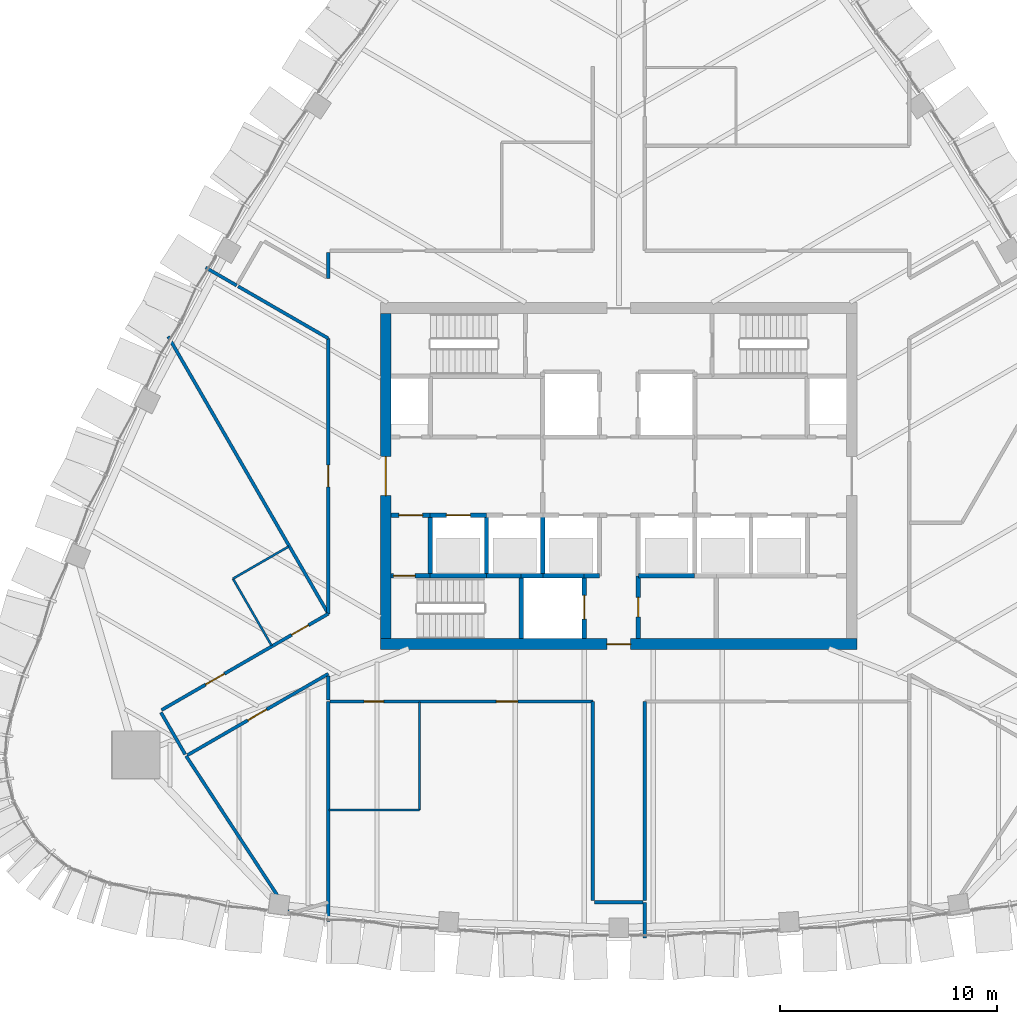
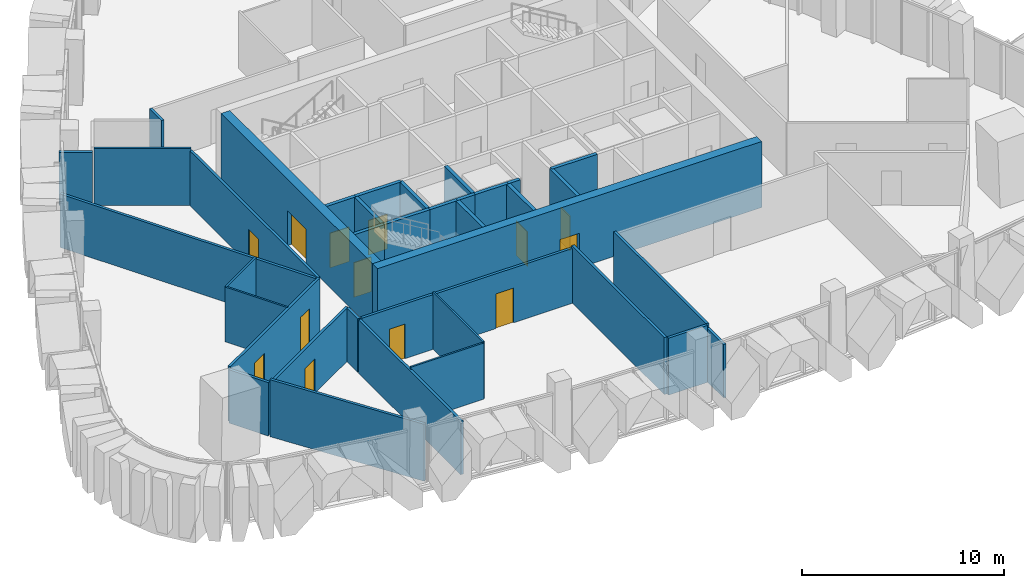
# One storey, part 12 of 19: 37 walls, 13 doors, 13 openings.
"""IFC4 building model written with IfcOpenShell, lengths in metres."""

from ifc_helpers import new_model, si_unit, direction, frame, frame_2d, origin, place, context, subcontext, project, spatial, rectangle, extrude, material, layer, layer_set, type_object, element, fill, save


model = new_model("IFC4")

# Units and contexts
model_context = context("Model", 3, precision=1e-05, world=origin(), true_north=direction((0.0, 1.0)))
body_context = subcontext(model_context, "Body", "Model", "MODEL_VIEW")
ifc_project = project(units=[si_unit("LENGTHUNIT", "METRE"), si_unit("AREAUNIT", "SQUARE_METRE"), si_unit("VOLUMEUNIT", "CUBIC_METRE"), si_unit("PLANEANGLEUNIT", "RADIAN"), si_unit("MASSUNIT", "GRAM", prefix="KILO")], contexts=[model_context])

# Site, building, storey
site_placement = place(None, origin())
site = spatial("IfcSite", under=ifc_project, at=site_placement, CompositionType="ELEMENT")
building_placement = place(site_placement, origin())
building = spatial("IfcBuilding", under=site, at=building_placement, Name="Sierra Prisma Convention Tower", CompositionType="ELEMENT")
storey_placement = place(building_placement, frame((0.0, 0.0, 231.0)))
storey = spatial("IfcBuildingStorey", under=building, at=storey_placement, Name="L51", CompositionType="ELEMENT", Elevation=231.0)

# Walls
ifc_material_1 = material(Name="Gypsum board partition", Category="gypsum")
ifc_layer_1 = layer(ifc_material_1, 0.10009765625)
ifc_layer_set_1 = layer_set([ifc_layer_1], Name="Bathroom partition 100")
wall_type_1 = type_object("IfcWallType", Name="Bathroom partition 100", PredefinedType="PARTITIONING", material=ifc_layer_set_1)
wall_1_placement = place(storey_placement, frame((-16.01318359375, -7.824951171875, 0.0), z_axis=(0.0, 0.0, 1.0), x_axis=(-0.499971082179, 0.866042098853, 0.0)))
element("IfcWall", 1, at=wall_1_placement, inside=storey, type_object=wall_type_1, Name="Partition L51 bath 1", PredefinedType="PARTITIONING", context=body_context, shape_type="SweptSolid", body=[
    extrude(rectangle(XDim=3.570068359375, YDim=0.10009765625, at=frame_2d((1.78515625, 0.0))), origin(), (0.0, 0.0, 1.0), 3.31689453125),
])
wall_2_placement = place(storey_placement, frame((-17.798095703125, -4.733154296875, 0.0), z_axis=(0.0, 0.0, 1.0), x_axis=(0.866039111053, 0.499976257563, 0.0)))
element("IfcWall", 2, at=wall_2_placement, inside=storey, type_object=wall_type_1, Name="Partition L51 bath 2", PredefinedType="PARTITIONING", context=body_context, shape_type="SweptSolid", body=[
    extrude(rectangle(XDim=2.969970703125, YDim=0.10009765625, at=frame_2d((1.48486328125, 0.0))), origin(), (0.0, 0.0, 1.0), 3.31689453125),
])
wall_3_placement = place(storey_placement, frame((-9.199951171875, -10.429931640625, 0.0), z_axis=(0.0, 0.0, 1.0), x_axis=(0.0, -1.0, 0.0)))
element("IfcWall", 3, at=wall_3_placement, inside=storey, type_object=wall_type_1, Name="Partition L51 bath 3", PredefinedType="PARTITIONING", context=body_context, shape_type="SweptSolid", body=[
    extrude(rectangle(XDim=4.969970703125, YDim=0.10009765625, at=frame_2d((2.48486328125, 0.0))), origin(), (0.0, 0.0, 1.0), 3.449951171875),
])
wall_4_placement = place(storey_placement, frame((-9.199951171875, -15.39990234375, 0.0), z_axis=(0.0, 0.0, 1.0), x_axis=(-1.0, 0.0, 0.0)))
element("IfcWall", 4, at=wall_4_placement, inside=storey, type_object=wall_type_1, Name="Partition L51 bath 4", PredefinedType="PARTITIONING", context=body_context, shape_type="SweptSolid", body=[
    extrude(rectangle(XDim=4.170166015625, YDim=0.10009765625, at=frame_2d((2.0849609375, 0.0))), origin(), (0.0, 0.0, 1.0), 3.39306640625),
])

# Wall, opening, door
ifc_material_2 = material(Name="Concrete C30/37", Category="concrete")
ifc_layer_2 = layer(ifc_material_2, 0.199951171875)
ifc_layer_set_2 = layer_set([ifc_layer_2], Name="Core wall RC 200 C30/37")
wall_type_2 = type_object("IfcWallType", Name="Core wall RC 200 C30/37", PredefinedType="SOLIDWALL", material=ifc_layer_set_2)
wall_5_placement = place(storey_placement, frame((-10.5, -4.60009765625, 0.0), z_axis=(0.0, 0.0, 1.0), x_axis=(1.0, 0.0, 0.0)))
wall_5 = element("IfcWall", 5, at=wall_5_placement, inside=storey, type_object=wall_type_2, Name="Core wall L51 1", PredefinedType="SOLIDWALL", context=body_context, shape_type="SweptSolid", body=[
    extrude(rectangle(XDim=1.800048828125, YDim=0.199951171875, at=frame_2d((0.89990234375, 0.0))), origin(), (0.0, 0.0, 1.0), 3.85009765625),
])
opening_1_placement = place(wall_5_placement, frame((0.10009765625, 0.0, 0.0)))
opening_1 = element("IfcOpeningElement", 6, at=opening_1_placement, cuts=wall_5, Name="Opening L51-D017", PredefinedType="OPENING", context=body_context, shape_type="SweptSolid", body=[
    extrude(rectangle(XDim=1.0, YDim=2.10009765625, at=frame_2d((0.5, 1.050048828125))), frame((0.0, 0.10009765625, 0.0), z_axis=(0.0, -1.0, 0.0), x_axis=(1.0, 0.0, 0.0)), (0.0, 0.0, 1.0), 0.199951171875),
])
ifc_material_3 = material(Name="Steel fire door leaf", Category="steel")
door_type_1 = type_object("IfcDoorType", Name="Door 1000x2100 FD90S", OperationType="SINGLE_SWING_LEFT", PredefinedType="DOOR", material=ifc_material_3)
door_1_placement = place(opening_1_placement, origin())
door_1 = element("IfcDoor", 7, at=door_1_placement, inside=storey, type_object=door_type_1, Name="Door L51 33", OperationType="SINGLE_SWING_LEFT", OverallHeight=2.10009765625, OverallWidth=1.0, PredefinedType="DOOR", context=body_context, shape_type="SweptSolid", body=[
    extrude(rectangle(XDim=1.0, YDim=2.10009765625, at=frame_2d((0.5, 1.050048828125))), frame((0.0, 0.02490234375, 0.0), z_axis=(0.0, -1.0, 0.0), x_axis=(1.0, 0.0, 0.0)), (0.0, 0.0, 1.0), 0.050048828125),
])
fill(opening_1, door_1)

wall_6_placement = place(storey_placement, frame((-10.5, -1.800048828125, 0.0), z_axis=(0.0, 0.0, 1.0), x_axis=(1.0, 0.0, 0.0)))
wall_6 = element("IfcWall", 8, at=wall_6_placement, inside=storey, type_object=wall_type_2, Name="Core wall L51 2", PredefinedType="SOLIDWALL", context=body_context, shape_type="SweptSolid", body=[
    extrude(rectangle(XDim=1.800048828125, YDim=0.199951171875, at=frame_2d((0.89990234375, 0.0))), origin(), (0.0, 0.0, 1.0), 3.85009765625),
])
opening_2_placement = place(wall_6_placement, frame((0.35009765625, 0.0, 0.0)))
opening_2 = element("IfcOpeningElement", 9, at=opening_2_placement, cuts=wall_6, Name="Opening L51-D012", PredefinedType="OPENING", context=body_context, shape_type="SweptSolid", body=[
    extrude(rectangle(XDim=1.10009765625, YDim=2.10009765625, at=frame_2d((0.550048828125, 1.050048828125))), frame((0.0, 0.10009765625, 0.0), z_axis=(0.0, -1.0, 0.0), x_axis=(1.0, 0.0, 0.0)), (0.0, 0.0, 1.0), 0.199951171875),
])
ifc_material_4 = material(Name="Steel fire door leaf", Category="steel")
door_type_2 = type_object("IfcDoorType", Name="Door 1100x2100 FD90S", OperationType="SINGLE_SWING_LEFT", PredefinedType="DOOR", material=ifc_material_4)
door_2_placement = place(opening_2_placement, origin())
door_2 = element("IfcDoor", 10, at=door_2_placement, inside=storey, type_object=door_type_2, Name="Door L51 28", OperationType="SINGLE_SWING_RIGHT", OverallHeight=2.10009765625, OverallWidth=1.10009765625, PredefinedType="DOOR", context=body_context, shape_type="SweptSolid", body=[
    extrude(rectangle(XDim=1.10009765625, YDim=2.10009765625, at=frame_2d((0.550048828125, 1.050048828125))), frame((0.0, 0.02490234375, 0.0), z_axis=(0.0, -1.0, 0.0), x_axis=(1.0, 0.0, 0.0)), (0.0, 0.0, 1.0), 0.050048828125),
])
fill(opening_2, door_2)

# Walls
wall_7_placement = place(storey_placement, frame((-8.699951171875, -4.60009765625, 0.0), z_axis=(0.0, 0.0, 1.0), x_axis=(1.0, 0.0, 0.0)))
element("IfcWall", 11, at=wall_7_placement, inside=storey, type_object=wall_type_2, Name="Core wall L51 5", PredefinedType="SOLIDWALL", context=body_context, shape_type="SweptSolid", body=[
    extrude(rectangle(XDim=2.599853515625, YDim=0.199951171875, at=frame_2d((1.2998046875, 0.0))), origin(), (0.0, 0.0, 1.0), 3.85009765625),
])
wall_8_placement = place(storey_placement, frame((-8.699951171875, -4.60009765625, 0.0), z_axis=(0.0, 0.0, 1.0), x_axis=(0.0, 1.0, 0.0)))
element("IfcWall", 12, at=wall_8_placement, inside=storey, type_object=wall_type_2, Name="Core wall L51 6", PredefinedType="SOLIDWALL", context=body_context, shape_type="SweptSolid", body=[
    extrude(rectangle(XDim=2.800048828125, YDim=0.199951171875, at=frame_2d((1.39990234375, 0.0))), origin(), (0.0, 0.0, 1.0), 3.85009765625),
])

# Wall, opening, door
wall_9_placement = place(storey_placement, frame((-8.699951171875, -1.800048828125, 0.0), z_axis=(0.0, 0.0, 1.0), x_axis=(1.0, 0.0, 0.0)))
wall_9 = element("IfcWall", 13, at=wall_9_placement, inside=storey, type_object=wall_type_2, Name="Core wall L51 7", PredefinedType="SOLIDWALL", context=body_context, shape_type="SweptSolid", body=[
    extrude(rectangle(XDim=2.599853515625, YDim=0.199951171875, at=frame_2d((1.2998046875, 0.0))), origin(), (0.0, 0.0, 1.0), 3.85009765625),
])
opening_3_placement = place(wall_9_placement, frame((0.75, 0.0, 0.0)))
opening_3 = element("IfcOpeningElement", 14, at=opening_3_placement, cuts=wall_9, Name="Opening L51-D001", PredefinedType="OPENING", context=body_context, shape_type="SweptSolid", body=[
    extrude(rectangle(XDim=1.10009765625, YDim=2.10009765625, at=frame_2d((0.550048828125, 1.050048828125))), frame((0.0, 0.10009765625, 0.0), z_axis=(0.0, -1.0, 0.0), x_axis=(1.0, 0.0, 0.0)), (0.0, 0.0, 1.0), 0.199951171875),
])
ifc_material_5 = material(Name="Steel fire door leaf", Category="steel")
door_type_3 = type_object("IfcDoorType", Name="Door 1100x2100 EI 90 sliding lift landing", OperationType="SLIDING_TO_LEFT", PredefinedType="DOOR", material=ifc_material_5)
door_3_placement = place(opening_3_placement, origin())
door_3 = element("IfcDoor", 15, at=door_3_placement, inside=storey, type_object=door_type_3, Name="Door L51 17", OperationType="SLIDING_TO_LEFT", OverallHeight=2.10009765625, OverallWidth=1.10009765625, PredefinedType="DOOR", context=body_context, shape_type="SweptSolid", body=[
    extrude(rectangle(XDim=1.10009765625, YDim=2.10009765625, at=frame_2d((0.550048828125, 1.050048828125))), frame((0.0, 0.02490234375, 0.0), z_axis=(0.0, -1.0, 0.0), x_axis=(1.0, 0.0, 0.0)), (0.0, 0.0, 1.0), 0.050048828125),
])
fill(opening_3, door_3)

# Walls
wall_10_placement = place(storey_placement, frame((-6.10009765625, -4.60009765625, 0.0), z_axis=(0.0, 0.0, 1.0), x_axis=(1.0, 0.0, 0.0)))
element("IfcWall", 16, at=wall_10_placement, inside=storey, type_object=wall_type_2, Name="Core wall L51 11", PredefinedType="SOLIDWALL", context=body_context, shape_type="SweptSolid", body=[
    extrude(rectangle(XDim=1.60009765625, YDim=0.199951171875, at=frame_2d((0.800048828125, 0.0))), origin(), (0.0, 0.0, 1.0), 3.85009765625),
])
wall_11_placement = place(storey_placement, frame((-6.10009765625, -4.60009765625, 0.0), z_axis=(0.0, 0.0, 1.0), x_axis=(0.0, 1.0, 0.0)))
element("IfcWall", 17, at=wall_11_placement, inside=storey, type_object=wall_type_2, Name="Core wall L51 12", PredefinedType="SOLIDWALL", context=body_context, shape_type="SweptSolid", body=[
    extrude(rectangle(XDim=2.800048828125, YDim=0.199951171875, at=frame_2d((1.39990234375, 0.0))), origin(), (0.0, 0.0, 1.0), 3.85009765625),
])
wall_12_placement = place(storey_placement, frame((-4.5, -4.60009765625, 0.0), z_axis=(0.0, 0.0, 1.0), x_axis=(0.0, -1.0, 0.0)))
element("IfcWall", 18, at=wall_12_placement, inside=storey, type_object=wall_type_2, Name="Core wall L51 14", PredefinedType="SOLIDWALL", context=body_context, shape_type="SweptSolid", body=[
    extrude(rectangle(XDim=2.89990234375, YDim=0.199951171875, at=frame_2d((1.449951171875, 0.0))), origin(), (0.0, 0.0, 1.0), 3.85009765625),
])
wall_13_placement = place(storey_placement, frame((-4.5, -4.60009765625, 0.0), z_axis=(0.0, 0.0, 1.0), x_axis=(1.0, 0.0, 0.0)))
element("IfcWall", 19, at=wall_13_placement, inside=storey, type_object=wall_type_2, Name="Core wall L51 15", PredefinedType="SOLIDWALL", context=body_context, shape_type="SweptSolid", body=[
    extrude(rectangle(XDim=1.0, YDim=0.199951171875, at=frame_2d((0.5, 0.0))), origin(), (0.0, 0.0, 1.0), 3.85009765625),
])
wall_14_placement = place(storey_placement, frame((-3.5, -4.60009765625, 0.0), z_axis=(0.0, 0.0, 1.0), x_axis=(1.0, 0.0, 0.0)))
element("IfcWall", 20, at=wall_14_placement, inside=storey, type_object=wall_type_2, Name="Core wall L51 18", PredefinedType="SOLIDWALL", context=body_context, shape_type="SweptSolid", body=[
    extrude(rectangle(XDim=1.89990234375, YDim=0.199951171875, at=frame_2d((0.949951171875, 0.0))), origin(), (0.0, 0.0, 1.0), 3.85009765625),
])
wall_15_placement = place(storey_placement, frame((-3.5, -4.60009765625, 0.0), z_axis=(0.0, 0.0, 1.0), x_axis=(0.0, 1.0, 0.0)))
element("IfcWall", 21, at=wall_15_placement, inside=storey, type_object=wall_type_2, Name="Core wall L51 19", PredefinedType="SOLIDWALL", context=body_context, shape_type="SweptSolid", body=[
    extrude(rectangle(XDim=2.800048828125, YDim=0.199951171875, at=frame_2d((1.39990234375, 0.0))), origin(), (0.0, 0.0, 1.0), 3.85009765625),
])

# Wall, opening, door
wall_16_placement = place(storey_placement, frame((-1.60009765625, -7.5, 0.0), z_axis=(0.0, 0.0, 1.0), x_axis=(0.0, 1.0, 0.0)))
wall_16 = element("IfcWall", 22, at=wall_16_placement, inside=storey, type_object=wall_type_2, Name="Core wall L51 27", PredefinedType="SOLIDWALL", context=body_context, shape_type="SweptSolid", body=[
    extrude(rectangle(XDim=2.89990234375, YDim=0.199951171875, at=frame_2d((1.449951171875, 0.0))), origin(), (0.0, 0.0, 1.0), 3.85009765625),
])
opening_4_placement = place(wall_16_placement, frame((0.89990234375, 0.0, 0.0)))
opening_4 = element("IfcOpeningElement", 23, at=opening_4_placement, cuts=wall_16, Name="Opening L51-D009", PredefinedType="OPENING", context=body_context, shape_type="SweptSolid", body=[
    extrude(rectangle(XDim=1.10009765625, YDim=2.10009765625, at=frame_2d((0.550048828125, 1.050048828125))), frame((0.0, 0.10009765625, 0.0), z_axis=(0.0, -1.0, 0.0), x_axis=(1.0, 0.0, 0.0)), (0.0, 0.0, 1.0), 0.199951171875),
])
door_4_placement = place(opening_4_placement, origin())
door_4 = element("IfcDoor", 24, at=door_4_placement, inside=storey, type_object=door_type_3, Name="Door L51 25", OperationType="SLIDING_TO_LEFT", OverallHeight=2.10009765625, OverallWidth=1.10009765625, PredefinedType="DOOR", context=body_context, shape_type="SweptSolid", body=[
    extrude(rectangle(XDim=1.10009765625, YDim=2.10009765625, at=frame_2d((0.550048828125, 1.050048828125))), frame((0.0, 0.02490234375, 0.0), z_axis=(0.0, -1.0, 0.0), x_axis=(1.0, 0.0, 0.0)), (0.0, 0.0, 1.0), 0.050048828125),
])
fill(opening_4, door_4)

# Wall
wall_17_placement = place(storey_placement, frame((-1.60009765625, -4.60009765625, 0.0), z_axis=(0.0, 0.0, 1.0), x_axis=(1.0, 0.0, 0.0)))
element("IfcWall", 25, at=wall_17_placement, inside=storey, type_object=wall_type_2, Name="Core wall L51 28", PredefinedType="SOLIDWALL", context=body_context, shape_type="SweptSolid", body=[
    extrude(rectangle(XDim=0.7001953125, YDim=0.199951171875, at=frame_2d((0.35009765625, 0.0))), origin(), (0.0, 0.0, 1.0), 3.85009765625),
])

# Wall, opening, door
wall_18_placement = place(storey_placement, frame((0.89990234375, -4.60009765625, 0.0), z_axis=(0.0, 0.0, 1.0), x_axis=(0.0, -1.0, 0.0)))
wall_18 = element("IfcWall", 26, at=wall_18_placement, inside=storey, type_object=wall_type_2, Name="Core wall L51 32", PredefinedType="SOLIDWALL", context=body_context, shape_type="SweptSolid", body=[
    extrude(rectangle(XDim=2.89990234375, YDim=0.199951171875, at=frame_2d((1.449951171875, 0.0))), origin(), (0.0, 0.0, 1.0), 3.85009765625),
])
opening_5_placement = place(wall_18_placement, frame((1.0, 0.0, 0.0)))
opening_5 = element("IfcOpeningElement", 27, at=opening_5_placement, cuts=wall_18, Name="Opening L51-D024", PredefinedType="OPENING", context=body_context, shape_type="SweptSolid", body=[
    extrude(rectangle(XDim=0.89990234375, YDim=2.10009765625, at=frame_2d((0.449951171875, 1.050048828125))), frame((0.0, 0.10009765625, 0.0), z_axis=(0.0, -1.0, 0.0), x_axis=(1.0, 0.0, 0.0)), (0.0, 0.0, 1.0), 0.199951171875),
])
ifc_material_6 = material(Name="Steel fire door leaf", Category="steel")
door_type_4 = type_object("IfcDoorType", Name="Door 900x2100 FD30S", OperationType="SINGLE_SWING_LEFT", PredefinedType="DOOR", material=ifc_material_6)
door_5_placement = place(opening_5_placement, origin())
door_5 = element("IfcDoor", 28, at=door_5_placement, inside=storey, type_object=door_type_4, Name="Door L51 40", OperationType="SINGLE_SWING_RIGHT", OverallHeight=2.10009765625, OverallWidth=0.89990234375, PredefinedType="DOOR", context=body_context, shape_type="SweptSolid", body=[
    extrude(rectangle(XDim=0.89990234375, YDim=2.10009765625, at=frame_2d((0.449951171875, 1.050048828125))), frame((0.0, 0.02490234375, 0.0), z_axis=(0.0, -1.0, 0.0), x_axis=(1.0, 0.0, 0.0)), (0.0, 0.0, 1.0), 0.050048828125),
])
fill(opening_5, door_5)

# Wall
wall_19_placement = place(storey_placement, frame((3.5, -4.60009765625, 0.0), z_axis=(0.0, 0.0, 1.0), x_axis=(-1.0, 0.0, 0.0)))
element("IfcWall", 29, at=wall_19_placement, inside=storey, type_object=wall_type_2, Name="Core wall L51 33", PredefinedType="SOLIDWALL", context=body_context, shape_type="SweptSolid", body=[
    extrude(rectangle(XDim=2.60009765625, YDim=0.199951171875, at=frame_2d((1.300048828125, 0.0))), origin(), (0.0, 0.0, 1.0), 3.85009765625),
])

# Wall, opening, door
ifc_material_7 = material(Name="Concrete C50/60", Category="concrete")
ifc_layer_3 = layer(ifc_material_7, 0.5)
ifc_layer_set_3 = layer_set([ifc_layer_3], Name="Core wall RC 500 C50/60")
wall_type_3 = type_object("IfcWallType", Name="Core wall RC 500 C50/60", PredefinedType="SHEAR", material=ifc_layer_set_3)
wall_20_placement = place(storey_placement, frame((-11.0, -7.75, 0.0), z_axis=(0.0, 0.0, 1.0), x_axis=(1.0, 0.0, 0.0)))
wall_20 = element("IfcWall", 30, at=wall_20_placement, inside=storey, type_object=wall_type_3, Name="Core wall S L51", PredefinedType="SHEAR", context=body_context, shape_type="SweptSolid", body=[
    extrude(rectangle(XDim=22.0, YDim=0.5, at=frame_2d((11.0, 0.0))), origin(), (0.0, 0.0, 1.0), 4.0),
])
opening_6_placement = place(wall_20_placement, frame((10.449951171875, 0.0, 0.0)))
opening_6 = element("IfcOpeningElement", 31, at=opening_6_placement, cuts=wall_20, Name="Opening L51-D043", PredefinedType="OPENING", context=body_context, shape_type="SweptSolid", body=[
    extrude(rectangle(XDim=1.10009765625, YDim=2.10009765625, at=frame_2d((0.550048828125, 1.050048828125))), frame((0.0, 0.25, 0.0), z_axis=(0.0, -1.0, 0.0), x_axis=(1.0, 0.0, 0.0)), (0.0, 0.0, 1.0), 0.5),
])
ifc_material_8 = material(Name="Steel fire door leaf", Category="steel")
door_type_5 = type_object("IfcDoorType", Name="Door 1100x2100 FD30S", OperationType="SINGLE_SWING_LEFT", PredefinedType="DOOR", material=ifc_material_8)
door_6_placement = place(opening_6_placement, origin())
door_6 = element("IfcDoor", 32, at=door_6_placement, inside=storey, type_object=door_type_5, Name="Door L51 44", OperationType="SINGLE_SWING_RIGHT", OverallHeight=2.10009765625, OverallWidth=1.10009765625, PredefinedType="DOOR", context=body_context, shape_type="SweptSolid", body=[
    extrude(rectangle(XDim=1.10009765625, YDim=2.10009765625, at=frame_2d((0.550048828125, 1.050048828125))), frame((0.0, 0.02490234375, 0.0), z_axis=(0.0, -1.0, 0.0), x_axis=(1.0, 0.0, 0.0)), (0.0, 0.0, 1.0), 0.050048828125),
])
fill(opening_6, door_6)

wall_21_placement = place(storey_placement, frame((-10.75, -7.5, 0.0), z_axis=(0.0, 0.0, 1.0), x_axis=(0.0, 1.0, 0.0)))
wall_21 = element("IfcWall", 33, at=wall_21_placement, inside=storey, type_object=wall_type_3, Name="Core wall W L51", PredefinedType="SHEAR", context=body_context, shape_type="SweptSolid", body=[
    extrude(rectangle(XDim=15.0, YDim=0.5, at=frame_2d((7.5, 0.0))), origin(), (0.0, 0.0, 1.0), 4.0),
])
opening_7_placement = place(wall_21_placement, frame((6.60009765625, 0.0, 0.0)))
opening_7 = element("IfcOpeningElement", 34, at=opening_7_placement, cuts=wall_21, Name="Opening L51-D044", PredefinedType="OPENING", context=body_context, shape_type="SweptSolid", body=[
    extrude(rectangle(XDim=1.800048828125, YDim=2.10009765625, at=frame_2d((0.89990234375, 1.050048828125))), frame((0.0, 0.25, 0.0), z_axis=(0.0, -1.0, 0.0), x_axis=(1.0, 0.0, 0.0)), (0.0, 0.0, 1.0), 0.5),
])
ifc_material_9 = material(Name="Steel fire door leaf", Category="steel")
door_type_6 = type_object("IfcDoorType", Name="Door 1800x2100 FD60S", OperationType="DOUBLE_DOOR_SINGLE_SWING", PredefinedType="DOOR", material=ifc_material_9)
door_7_placement = place(opening_7_placement, origin())
door_7 = element("IfcDoor", 35, at=door_7_placement, inside=storey, type_object=door_type_6, Name="Door L51 41", OperationType="DOUBLE_DOOR_SINGLE_SWING", OverallHeight=2.10009765625, OverallWidth=1.800048828125, PredefinedType="DOOR", context=body_context, shape_type="SweptSolid", body=[
    extrude(rectangle(XDim=1.800048828125, YDim=2.10009765625, at=frame_2d((0.89990234375, 1.050048828125))), frame((0.0, 0.02490234375, 0.0), z_axis=(0.0, -1.0, 0.0), x_axis=(1.0, 0.0, 0.0)), (0.0, 0.0, 1.0), 0.050048828125),
])
fill(opening_7, door_7)

# Wall
ifc_material_10 = material(Name="Gypsum board partition", Category="gypsum")
ifc_layer_4 = layer(ifc_material_10, 0.14990234375)
ifc_layer_set_4 = layer_set([ifc_layer_4], Name="Corridor wall 150 gypsum EI 60")
wall_type_4 = type_object("IfcWallType", Name="Corridor wall 150 gypsum EI 60", PredefinedType="PARTITIONING", material=ifc_layer_set_4)
wall_22_placement = place(storey_placement, frame((-21.120361328125, -10.900634765625, 0.0), z_axis=(0.0, 0.0, 1.0), x_axis=(0.49994888933, -0.866054910533, 0.0)))
element("IfcWall", 36, at=wall_22_placement, inside=storey, type_object=wall_type_4, Name="Partition L51 corr 1", PredefinedType="PARTITIONING", context=body_context, shape_type="SweptSolid", body=[
    extrude(rectangle(XDim=2.239990234375, YDim=0.14990234375, at=frame_2d((1.1201171875, 0.0))), origin(), (0.0, 0.0, 1.0), 3.23291015625),
])

# Wall, openings, doors
wall_23_placement = place(storey_placement, frame((-13.39990234375, -6.350830078125, 0.0), z_axis=(0.0, 0.0, 1.0), x_axis=(-0.866028564552, -0.499994525349, 0.0)))
wall_23 = element("IfcWall", 37, at=wall_23_placement, inside=storey, type_object=wall_type_4, Name="Partition L51 corr 2", PredefinedType="PARTITIONING", context=body_context, shape_type="SweptSolid", body=[
    extrude(rectangle(XDim=8.880859375, YDim=0.14990234375, at=frame_2d((4.4404296875, 0.0))), origin(), (0.0, 0.0, 1.0), 3.31689453125),
])
opening_8_placement = place(wall_23_placement, frame((1.050048828125, 0.0, 0.0)))
opening_8 = element("IfcOpeningElement", 38, at=opening_8_placement, cuts=wall_23, Name="Opening L51-D032", PredefinedType="OPENING", context=body_context, shape_type="SweptSolid", body=[
    extrude(rectangle(XDim=0.89990234375, YDim=2.10009765625, at=frame_2d((0.449951171875, 1.050048828125))), frame((0.0, 0.074951171875, 0.0), z_axis=(0.0, -1.0, 0.0), x_axis=(1.0, 0.0, 0.0)), (0.0, 0.0, 1.0), 0.14990234375),
])
opening_9_placement = place(wall_23_placement, frame((5.530517578125, 0.0, 0.0)))
opening_9 = element("IfcOpeningElement", 39, at=opening_9_placement, cuts=wall_23, Name="Opening L51-D033", PredefinedType="OPENING", context=body_context, shape_type="SweptSolid", body=[
    extrude(rectangle(XDim=1.0, YDim=2.10009765625, at=frame_2d((0.5, 1.050048828125))), frame((0.0, 0.074951171875, 0.0), z_axis=(0.0, -1.0, 0.0), x_axis=(1.0, 0.0, 0.0)), (0.0, 0.0, 1.0), 0.14990234375),
])
ifc_material_11 = material(Name="Steel fire door leaf", Category="steel")
door_type_7 = type_object("IfcDoorType", Name="Door 1000x2100 FD30S", OperationType="SINGLE_SWING_LEFT", PredefinedType="DOOR", material=ifc_material_11)
door_8_placement = place(opening_9_placement, origin())
door_8 = element("IfcDoor", 40, at=door_8_placement, inside=storey, type_object=door_type_7, Name="Door L51 9", OperationType="SINGLE_SWING_RIGHT", OverallHeight=2.10009765625, OverallWidth=1.0, PredefinedType="DOOR", context=body_context, shape_type="SweptSolid", body=[
    extrude(rectangle(XDim=1.0, YDim=2.10009765625, at=frame_2d((0.5, 1.050048828125))), frame((0.0, 0.02490234375, 0.0), z_axis=(0.0, -1.0, 0.0), x_axis=(1.0, 0.0, 0.0)), (0.0, 0.0, 1.0), 0.050048828125),
])
fill(opening_9, door_8)
door_9_placement = place(opening_8_placement, origin())
door_9 = element("IfcDoor", 41, at=door_9_placement, inside=storey, type_object=door_type_4, Name="Door L51 8", OperationType="SINGLE_SWING_RIGHT", OverallHeight=2.10009765625, OverallWidth=0.89990234375, PredefinedType="DOOR", context=body_context, shape_type="SweptSolid", body=[
    extrude(rectangle(XDim=0.89990234375, YDim=2.10009765625, at=frame_2d((0.449951171875, 1.050048828125))), frame((0.0, 0.02490234375, 0.0), z_axis=(0.0, -1.0, 0.0), x_axis=(1.0, 0.0, 0.0)), (0.0, 0.0, 1.0), 0.050048828125),
])
fill(opening_8, door_9)

# Wall, opening, door
wall_24_placement = place(storey_placement, frame((-19.89111328125, -12.869873046875, 0.0), z_axis=(0.0, 0.0, 1.0), x_axis=(0.866019606374, 0.500010041276, 0.0)))
wall_24 = element("IfcWall", 42, at=wall_24_placement, inside=storey, type_object=wall_type_4, Name="Partition L51 corr 3", PredefinedType="PARTITIONING", context=body_context, shape_type="SweptSolid", body=[
    extrude(rectangle(XDim=7.495361328125, YDim=0.14990234375, at=frame_2d((3.74755859375, 0.0))), origin(), (0.0, 0.0, 1.0), 3.23291015625),
])
opening_10_placement = place(wall_24_placement, frame((3.20751953125, 0.0, 0.0)))
opening_10 = element("IfcOpeningElement", 43, at=opening_10_placement, cuts=wall_24, Name="Opening L51-D034", PredefinedType="OPENING", context=body_context, shape_type="SweptSolid", body=[
    extrude(rectangle(XDim=1.0, YDim=2.10009765625, at=frame_2d((0.5, 1.050048828125))), frame((0.0, 0.074951171875, 0.0), z_axis=(0.0, -1.0, 0.0), x_axis=(1.0, 0.0, 0.0)), (0.0, 0.0, 1.0), 0.14990234375),
])
door_10_placement = place(opening_10_placement, origin())
door_10 = element("IfcDoor", 44, at=door_10_placement, inside=storey, type_object=door_type_7, Name="Door L51 10", OperationType="SINGLE_SWING_LEFT", OverallHeight=2.10009765625, OverallWidth=1.0, PredefinedType="DOOR", context=body_context, shape_type="SweptSolid", body=[
    extrude(rectangle(XDim=1.0, YDim=2.10009765625, at=frame_2d((0.5, 1.050048828125))), frame((0.0, 0.02490234375, 0.0), z_axis=(0.0, -1.0, 0.0), x_axis=(1.0, 0.0, 0.0)), (0.0, 0.0, 1.0), 0.050048828125),
])
fill(opening_10, door_10)

# Walls
wall_25_placement = place(storey_placement, frame((-13.39990234375, -9.213623046875, 0.0), z_axis=(0.0, 0.0, 1.0), x_axis=(0.0, -1.0, 0.0)))
element("IfcWall", 45, at=wall_25_placement, inside=storey, type_object=wall_type_4, Name="Partition L51 corr 4", PredefinedType="PARTITIONING", context=body_context, shape_type="SweptSolid", body=[
    extrude(rectangle(XDim=1.1064453125, YDim=0.14990234375, at=frame_2d((0.55322265625, 0.0))), origin(), (0.0, 0.0, 1.0), 3.23291015625),
])
wall_26_placement = place(storey_placement, frame((-17.559326171875, 8.752197265625, 0.0), z_axis=(0.0, 0.0, 1.0), x_axis=(0.866032371008, -0.49998793222, 0.0)))
element("IfcWall", 46, at=wall_26_placement, inside=storey, type_object=wall_type_4, Name="Partition L51 corr 6", PredefinedType="PARTITIONING", context=body_context, shape_type="SweptSolid", body=[
    extrude(rectangle(XDim=4.802734375, YDim=0.14990234375, at=frame_2d((2.4013671875, 0.0))), origin(), (0.0, 0.0, 1.0), 3.449951171875),
])

# Wall, opening, door
wall_27_placement = place(storey_placement, frame((-13.39990234375, 6.350830078125, 0.0), z_axis=(0.0, 0.0, 1.0), x_axis=(0.0, -1.0, 0.0)))
wall_27 = element("IfcWall", 47, at=wall_27_placement, inside=storey, type_object=wall_type_4, Name="Partition L51 corr 7", PredefinedType="PARTITIONING", context=body_context, shape_type="SweptSolid", body=[
    extrude(rectangle(XDim=12.70166015625, YDim=0.14990234375, at=frame_2d((6.350830078125, 0.0))), origin(), (0.0, 0.0, 1.0), 3.31689453125),
])
opening_11_placement = place(wall_27_placement, frame((5.850830078125, 0.0, 0.0)))
opening_11 = element("IfcOpeningElement", 48, at=opening_11_placement, cuts=wall_27, Name="Opening L51-D031", PredefinedType="OPENING", context=body_context, shape_type="SweptSolid", body=[
    extrude(rectangle(XDim=1.0, YDim=2.10009765625, at=frame_2d((0.5, 1.050048828125))), frame((0.0, 0.074951171875, 0.0), z_axis=(0.0, -1.0, 0.0), x_axis=(1.0, 0.0, 0.0)), (0.0, 0.0, 1.0), 0.14990234375),
])
door_11_placement = place(opening_11_placement, origin())
door_11 = element("IfcDoor", 49, at=door_11_placement, inside=storey, type_object=door_type_7, Name="Door L51 7", OperationType="SINGLE_SWING_LEFT", OverallHeight=2.10009765625, OverallWidth=1.0, PredefinedType="DOOR", context=body_context, shape_type="SweptSolid", body=[
    extrude(rectangle(XDim=1.0, YDim=2.10009765625, at=frame_2d((0.5, 1.050048828125))), frame((0.0, 0.02490234375, 0.0), z_axis=(0.0, -1.0, 0.0), x_axis=(1.0, 0.0, 0.0)), (0.0, 0.0, 1.0), 0.050048828125),
])
fill(opening_11, door_11)

# Wall
wall_28_placement = place(storey_placement, frame((-13.39990234375, 10.320068359375, 0.0), z_axis=(0.0, 0.0, 1.0), x_axis=(0.0, -1.0, 0.0)))
element("IfcWall", 50, at=wall_28_placement, inside=storey, type_object=wall_type_4, Name="Partition L51 corr 8", PredefinedType="PARTITIONING", context=body_context, shape_type="SweptSolid", body=[
    extrude(rectangle(XDim=1.197998046875, YDim=0.14990234375, at=frame_2d((0.59912109375, 0.0))), origin(), (0.0, 0.0, 1.0), 3.449951171875),
])

# Wall, openings, doors
wall_29_placement = place(storey_placement, frame((-13.320068359375, -10.39990234375, 0.0), z_axis=(0.0, 0.0, 1.0), x_axis=(1.0, 0.0, 0.0)))
wall_29 = element("IfcWall", 51, at=wall_29_placement, inside=storey, type_object=wall_type_4, Name="Partition L51 corr 10", PredefinedType="PARTITIONING", context=body_context, shape_type="SweptSolid", body=[
    extrude(rectangle(XDim=12.1201171875, YDim=0.14990234375, at=frame_2d((6.06005859375, 0.0))), origin(), (0.0, 0.0, 1.0), 3.31689453125),
])
opening_12_placement = place(wall_29_placement, frame((1.570068359375, 0.0, 0.0)))
opening_12 = element("IfcOpeningElement", 52, at=opening_12_placement, cuts=wall_29, Name="Opening L51-D035", PredefinedType="OPENING", context=body_context, shape_type="SweptSolid", body=[
    extrude(rectangle(XDim=0.89990234375, YDim=2.10009765625, at=frame_2d((0.449951171875, 1.050048828125))), frame((0.0, 0.074951171875, 0.0), z_axis=(0.0, -1.0, 0.0), x_axis=(1.0, 0.0, 0.0)), (0.0, 0.0, 1.0), 0.14990234375),
])
opening_13_placement = place(wall_29_placement, frame((7.669921875, 0.0, 0.0)))
opening_13 = element("IfcOpeningElement", 53, at=opening_13_placement, cuts=wall_29, Name="Opening L51-D036", PredefinedType="OPENING", context=body_context, shape_type="SweptSolid", body=[
    extrude(rectangle(XDim=1.0, YDim=2.10009765625, at=frame_2d((0.5, 1.050048828125))), frame((0.0, 0.074951171875, 0.0), z_axis=(0.0, -1.0, 0.0), x_axis=(1.0, 0.0, 0.0)), (0.0, 0.0, 1.0), 0.14990234375),
])
door_12_placement = place(opening_13_placement, origin())
door_12 = element("IfcDoor", 54, at=door_12_placement, inside=storey, type_object=door_type_7, Name="Door L51 12", OperationType="SINGLE_SWING_LEFT", OverallHeight=2.10009765625, OverallWidth=1.0, PredefinedType="DOOR", context=body_context, shape_type="SweptSolid", body=[
    extrude(rectangle(XDim=1.0, YDim=2.10009765625, at=frame_2d((0.5, 1.050048828125))), frame((0.0, 0.02490234375, 0.0), z_axis=(0.0, -1.0, 0.0), x_axis=(1.0, 0.0, 0.0)), (0.0, 0.0, 1.0), 0.050048828125),
])
fill(opening_13, door_12)
door_13_placement = place(opening_12_placement, origin())
door_13 = element("IfcDoor", 55, at=door_13_placement, inside=storey, type_object=door_type_4, Name="Door L51 11", OperationType="SINGLE_SWING_LEFT", OverallHeight=2.10009765625, OverallWidth=0.89990234375, PredefinedType="DOOR", context=body_context, shape_type="SweptSolid", body=[
    extrude(rectangle(XDim=0.89990234375, YDim=2.10009765625, at=frame_2d((0.449951171875, 1.050048828125))), frame((0.0, 0.02490234375, 0.0), z_axis=(0.0, -1.0, 0.0), x_axis=(1.0, 0.0, 0.0)), (0.0, 0.0, 1.0), 0.050048828125),
])
fill(opening_12, door_13)

# Walls
wall_30_placement = place(storey_placement, frame((-1.199951171875, -10.39990234375, 0.0), z_axis=(0.0, 0.0, 1.0), x_axis=(0.0, -1.0, 0.0)))
element("IfcWall", 56, at=wall_30_placement, inside=storey, type_object=wall_type_4, Name="Partition L51 corr 11", PredefinedType="PARTITIONING", context=body_context, shape_type="SweptSolid", body=[
    extrude(rectangle(XDim=9.18310546875, YDim=0.14990234375, at=frame_2d((4.591552734375, 0.0))), origin(), (0.0, 0.0, 1.0), 3.449951171875),
])
wall_31_placement = place(storey_placement, frame((-1.1201171875, -19.662841796875, 0.0), z_axis=(0.0, 0.0, 1.0), x_axis=(1.0, 0.0, 0.0)))
element("IfcWall", 57, at=wall_31_placement, inside=storey, type_object=wall_type_4, Name="Partition L51 corr 15", PredefinedType="PARTITIONING", context=body_context, shape_type="SweptSolid", body=[
    extrude(rectangle(XDim=2.240234375, YDim=0.14990234375, at=frame_2d((1.1201171875, 0.0))), origin(), (0.0, 0.0, 1.0), 3.449951171875),
])
wall_32_placement = place(storey_placement, frame((1.199951171875, -19.5830078125, 0.0), z_axis=(0.0, 0.0, 1.0), x_axis=(0.0, 1.0, 0.0)))
element("IfcWall", 58, at=wall_32_placement, inside=storey, type_object=wall_type_4, Name="Partition L51 corr 17", PredefinedType="PARTITIONING", context=body_context, shape_type="SweptSolid", body=[
    extrude(rectangle(XDim=9.18310546875, YDim=0.14990234375, at=frame_2d((4.591552734375, 0.0))), origin(), (0.0, 0.0, 1.0), 3.449951171875),
])
ifc_material_12 = material(Name="Gypsum board partition", Category="gypsum")
ifc_layer_5 = layer(ifc_material_12, 0.14990234375)
ifc_layer_set_5 = layer_set([ifc_layer_5], Name="Party wall 150 gypsum")
wall_type_5 = type_object("IfcWallType", Name="Party wall 150 gypsum", PredefinedType="PARTITIONING", material=ifc_layer_set_5)
wall_33_placement = place(storey_placement, frame((-13.39990234375, -6.350830078125, 0.0), z_axis=(0.0, 0.0, 1.0), x_axis=(-0.500006275671, 0.866021780494, 0.0)))
element("IfcWall", 59, at=wall_33_placement, inside=storey, type_object=wall_type_5, Name="Partition L51 party 1", PredefinedType="PARTITIONING", context=body_context, shape_type="SweptSolid", body=[
    extrude(rectangle(XDim=14.767822265625, YDim=0.14990234375, at=frame_2d((7.3837890625, 0.0))), origin(), (0.0, 0.0, 1.0), 3.23388671875),
])
wall_34_placement = place(storey_placement, frame((-19.96044921875, -12.909912109375, 0.0), z_axis=(0.0, 0.0, 1.0), x_axis=(0.547697942309, -0.836676140445, 0.0)))
element("IfcWall", 60, at=wall_34_placement, inside=storey, type_object=wall_type_5, Name="Partition L51 party 2", PredefinedType="PARTITIONING", context=body_context, shape_type="SweptSolid", body=[
    extrude(rectangle(XDim=8.576904296875, YDim=0.14990234375, at=frame_2d((4.28857421875, 0.0))), origin(), (0.0, 0.0, 1.0), 3.449951171875),
])
wall_35_placement = place(storey_placement, frame((-17.62841796875, 8.792236328125, 0.0), z_axis=(0.0, 0.0, 1.0), x_axis=(-0.866040211805, 0.499974350878, 0.0)))
element("IfcWall", 61, at=wall_35_placement, inside=storey, type_object=wall_type_5, Name="Partition L51 party 3", PredefinedType="PARTITIONING", context=body_context, shape_type="SweptSolid", body=[
    extrude(rectangle(XDim=1.64990234375, YDim=0.14990234375, at=frame_2d((0.824951171875, 0.0))), origin(), (0.0, 0.0, 1.0), 3.23388671875),
])
wall_36_placement = place(storey_placement, frame((-13.39990234375, -10.39990234375, 0.0), z_axis=(0.0, 0.0, 1.0), x_axis=(0.0, -1.0, 0.0)))
element("IfcWall", 62, at=wall_36_placement, inside=storey, type_object=wall_type_5, Name="Partition L51 party 4", PredefinedType="PARTITIONING", context=body_context, shape_type="SweptSolid", body=[
    extrude(rectangle(XDim=10.1435546875, YDim=0.14990234375, at=frame_2d((5.07177734375, 0.0))), origin(), (0.0, 0.0, 1.0), 3.23388671875),
])
wall_37_placement = place(storey_placement, frame((1.199951171875, -19.662841796875, 0.0), z_axis=(0.0, 0.0, 1.0), x_axis=(0.0, -1.0, 0.0)))
element("IfcWall", 63, at=wall_37_placement, inside=storey, type_object=wall_type_5, Name="Partition L51 party 7", PredefinedType="PARTITIONING", context=body_context, shape_type="SweptSolid", body=[
    extrude(rectangle(XDim=1.649658203125, YDim=0.14990234375, at=frame_2d((0.82470703125, 0.0))), origin(), (0.0, 0.0, 1.0), 3.23388671875),
])

save(model, "model.ifc")
